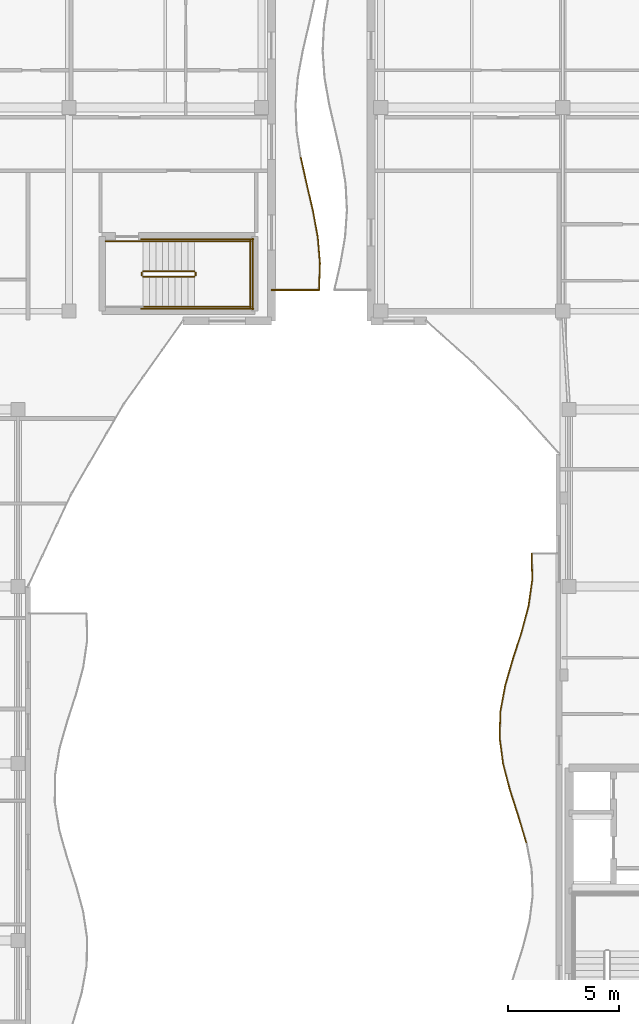
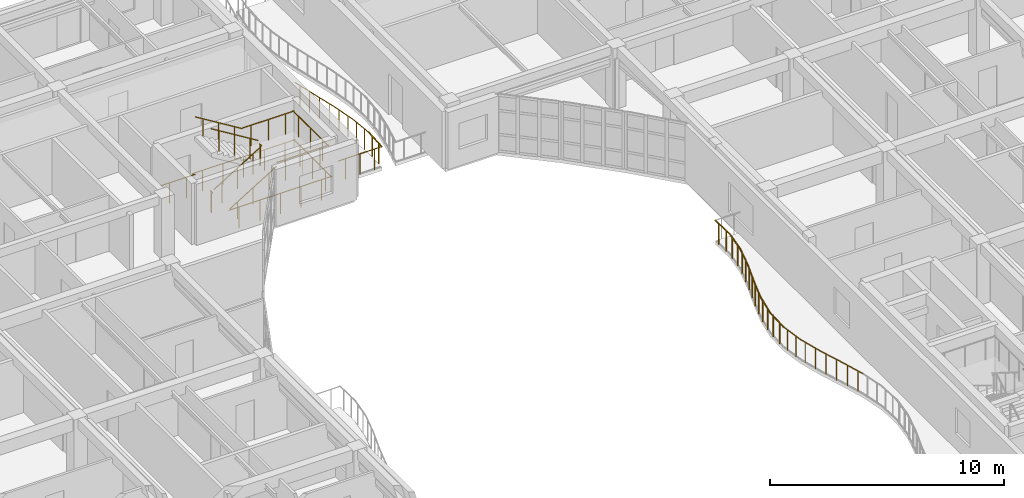
# One storey, part 113 of 128: 30 railings.
"""IFC4 building model written with IfcOpenShell, lengths in metres."""

from ifc_helpers import new_model, si_unit, direction, frame, origin, origin_2d, place, context, subcontext, project, spatial, circle, extrude, material, type_object, element, save


model = new_model("IFC4")

# Units and contexts
model_context = context("Model", 3, precision=1e-05, world=origin(), true_north=direction((0.0, 1.0)))
body_context = subcontext(model_context, "Body", "Model", "MODEL_VIEW")
ifc_project = project(units=[si_unit("LENGTHUNIT", "METRE"), si_unit("AREAUNIT", "SQUARE_METRE"), si_unit("VOLUMEUNIT", "CUBIC_METRE"), si_unit("PLANEANGLEUNIT", "RADIAN"), si_unit("MASSUNIT", "GRAM", prefix="KILO")], contexts=[model_context])

# Site, building, storey
site_placement = place(None, origin())
site = spatial("IfcSite", under=ifc_project, at=site_placement, CompositionType="ELEMENT")
building_placement = place(site_placement, origin())
building = spatial("IfcBuilding", under=site, at=building_placement, Name="Keldmere Railside Commons", CompositionType="ELEMENT")
storey_placement = place(building_placement, frame((0.0, 0.0, 4.159912109375)))
storey = spatial("IfcBuildingStorey", under=building, at=storey_placement, Name="L01", CompositionType="ELEMENT", Elevation=4.159912109375)

# Railings
ifc_material = material(Name="Steel F-24 (S235)", Category="steel")
railing_type_1 = type_object("IfcRailingType", Name="Balcony & Terrace Steel Balustrade 1100", PredefinedType="BALUSTRADE", material=ifc_material)
railing_1_placement = place(storey_placement, frame((35.0, 101.39990234375, 0.0)))
element("IfcRailing", 1, at=railing_1_placement, inside=storey, type_object=railing_type_1, Name="GR-1 GRD-L01-0105", PredefinedType="BALUSTRADE", context=body_context, shape_type="SweptSolid", body=[
    extrude(circle(Radius=0.02392578125, at=origin_2d()), frame((0.0, 0.0, 1.076171875), z_axis=(1.0, 0.0, 0.0), x_axis=(0.0, 1.0, 0.0)), (0.0, 0.0, 1.0), 2.152099609375),
    extrude(circle(Radius=0.02099609375, at=origin_2d()), frame((0.358642578125, 0.0, 0.0)), (0.0, 0.0, 1.0), 1.048095703125),
    extrude(circle(Radius=0.02099609375, at=origin_2d()), frame((1.076171875, 0.0, 0.0)), (0.0, 0.0, 1.0), 1.048095703125),
    extrude(circle(Radius=0.02099609375, at=origin_2d()), frame((1.79345703125, 0.0, 0.0)), (0.0, 0.0, 1.0), 1.048095703125),
])
railing_2_placement = place(storey_placement, frame((37.152099609375, 101.39990234375, 0.0)))
element("IfcRailing", 2, at=railing_2_placement, inside=storey, type_object=railing_type_1, Name="GR-1 GRD-L01-0106", PredefinedType="BALUSTRADE", context=body_context, shape_type="SweptSolid", body=[
    extrude(circle(Radius=0.02392578125, at=origin_2d()), frame((0.0, 0.0, 1.076171875), z_axis=(0.037402614126, 0.999300277422, 0.0), x_axis=(-0.999300277422, 0.037402614126, 0.0)), (0.0, 0.0, 1.0), 1.200927734375),
    extrude(circle(Radius=0.02099609375, at=origin_2d()), frame((0.01123046875, 0.300048828125, 0.0)), (0.0, 0.0, 1.0), 1.048095703125),
    extrude(circle(Radius=0.02099609375, at=origin_2d()), frame((0.03369140625, 0.900146484375, 0.0)), (0.0, 0.0, 1.0), 1.048095703125),
])
railing_3_placement = place(storey_placement, frame((37.197021484375, 102.60009765625, 0.0)))
element("IfcRailing", 3, at=railing_3_placement, inside=storey, type_object=railing_type_1, Name="GR-1 GRD-L01-0107", PredefinedType="BALUSTRADE", context=body_context, shape_type="SweptSolid", body=[
    extrude(circle(Radius=0.02392578125, at=origin_2d()), frame((0.0, 0.0, 1.076171875), z_axis=(-0.084136017472, 0.996454279214, 0.0), x_axis=(-0.996454279214, -0.084136017472, 0.0)), (0.0, 0.0, 1.0), 1.2041015625),
    extrude(circle(Radius=0.02099609375, at=origin_2d()), frame((-0.025390625, 0.300048828125, 0.0)), (0.0, 0.0, 1.0), 1.048095703125),
    extrude(circle(Radius=0.02099609375, at=origin_2d()), frame((-0.075927734375, 0.89990234375, 0.0)), (0.0, 0.0, 1.0), 1.048095703125),
])
railing_4_placement = place(storey_placement, frame((37.095703125, 103.800048828125, 0.0)))
element("IfcRailing", 4, at=railing_4_placement, inside=storey, type_object=railing_type_1, Name="GR-1 GRD-L01-0108", PredefinedType="BALUSTRADE", context=body_context, shape_type="SweptSolid", body=[
    extrude(circle(Radius=0.02392578125, at=origin_2d()), frame((0.0, 0.0, 1.076171875), z_axis=(-0.181086036306, 0.983467257948, 0.0), x_axis=(-0.983467257948, -0.181086036306, 0.0)), (0.0, 0.0, 1.0), 1.22021484375),
    extrude(circle(Radius=0.02099609375, at=origin_2d()), frame((-0.05517578125, 0.300048828125, 0.0)), (0.0, 0.0, 1.0), 1.048095703125),
    extrude(circle(Radius=0.02099609375, at=origin_2d()), frame((-0.165771484375, 0.89990234375, 0.0)), (0.0, 0.0, 1.0), 1.048095703125),
])
railing_5_placement = place(storey_placement, frame((36.874755859375, 105.0, 0.0)))
element("IfcRailing", 5, at=railing_5_placement, inside=storey, type_object=railing_type_1, Name="GR-1 GRD-L01-0109", PredefinedType="BALUSTRADE", context=body_context, shape_type="SweptSolid", body=[
    extrude(circle(Radius=0.02392578125, at=origin_2d()), frame((0.0, 0.0, 1.076171875), z_axis=(-0.22820012476, 0.973614247564, 0.0), x_axis=(-0.973614247564, -0.22820012476, 0.0)), (0.0, 0.0, 1.0), 1.232421875),
    extrude(circle(Radius=0.02099609375, at=origin_2d()), frame((-0.0703125, 0.300048828125, 0.0)), (0.0, 0.0, 1.0), 1.048095703125),
    extrude(circle(Radius=0.02099609375, at=origin_2d()), frame((-0.2109375, 0.89990234375, 0.0)), (0.0, 0.0, 1.0), 1.048095703125),
])
railing_6_placement = place(storey_placement, frame((36.593505859375, 106.199951171875, 0.0)))
element("IfcRailing", 6, at=railing_6_placement, inside=storey, type_object=railing_type_1, Name="GR-1 GRD-L01-0110", PredefinedType="BALUSTRADE", context=body_context, shape_type="SweptSolid", body=[
    extrude(circle(Radius=0.02392578125, at=origin_2d()), frame((0.0, 0.0, 1.076171875), z_axis=(-0.21632046957, 0.976322413163, 0.0), x_axis=(-0.976322413163, -0.21632046957, 0.0)), (0.0, 0.0, 1.0), 1.22900390625),
    extrude(circle(Radius=0.02099609375, at=origin_2d()), frame((-0.06640625, 0.300048828125, 0.0)), (0.0, 0.0, 1.0), 1.048095703125),
    extrude(circle(Radius=0.02099609375, at=origin_2d()), frame((-0.199462890625, 0.89990234375, 0.0)), (0.0, 0.0, 1.0), 1.048095703125),
])
railing_7_placement = place(storey_placement, frame((46.513671875, 76.422119140625, 0.0)))
element("IfcRailing", 7, at=railing_7_placement, inside=storey, type_object=railing_type_1, Name="GR-1 GRD-L01-0868", PredefinedType="BALUSTRADE", context=body_context, shape_type="SweptSolid", body=[
    extrude(circle(Radius=0.02392578125, at=origin_2d()), frame((0.0, 0.0, 1.076171875), z_axis=(-0.284818742003, 0.958581391538, 0.0), x_axis=(-0.958581391538, -0.284818742003, 0.0)), (0.0, 0.0, 1.0), 1.240234375),
    extrude(circle(Radius=0.02099609375, at=origin_2d()), frame((-0.08837890625, 0.29736328125, 0.0)), (0.0, 0.0, 1.0), 1.048095703125),
    extrude(circle(Radius=0.02099609375, at=origin_2d()), frame((-0.264892578125, 0.8916015625, 0.0)), (0.0, 0.0, 1.0), 1.048095703125),
])
railing_8_placement = place(storey_placement, frame((46.160400390625, 77.611083984375, 0.0)))
element("IfcRailing", 8, at=railing_8_placement, inside=storey, type_object=railing_type_1, Name="GR-1 GRD-L01-0869", PredefinedType="BALUSTRADE", context=body_context, shape_type="SweptSolid", body=[
    extrude(circle(Radius=0.02392578125, at=origin_2d()), frame((0.0, 0.0, 1.076171875), z_axis=(-0.306123076916, 0.951991944178, 0.0), x_axis=(-0.951991944178, -0.306123076916, 0.0)), (0.0, 0.0, 1.0), 1.2490234375),
    extrude(circle(Radius=0.02099609375, at=origin_2d()), frame((-0.095703125, 0.29736328125, 0.0)), (0.0, 0.0, 1.0), 1.048095703125),
    extrude(circle(Radius=0.02099609375, at=origin_2d()), frame((-0.28662109375, 0.8916015625, 0.0)), (0.0, 0.0, 1.0), 1.048095703125),
])
railing_9_placement = place(storey_placement, frame((45.778076171875, 78.800048828125, 0.0)))
element("IfcRailing", 9, at=railing_9_placement, inside=storey, type_object=railing_type_1, Name="GR-1 GRD-L01-0870", PredefinedType="BALUSTRADE", context=body_context, shape_type="SweptSolid", body=[
    extrude(circle(Radius=0.02392578125, at=origin_2d()), frame((0.0, 0.0, 1.076171875), z_axis=(-0.252899011183, 0.967492682217, 0.0), x_axis=(-0.967492682217, -0.252899011183, 0.0)), (0.0, 0.0, 1.0), 1.22900390625),
    extrude(circle(Radius=0.02099609375, at=origin_2d()), frame((-0.07763671875, 0.29736328125, 0.0)), (0.0, 0.0, 1.0), 1.048095703125),
    extrude(circle(Radius=0.02099609375, at=origin_2d()), frame((-0.233154296875, 0.8916015625, 0.0)), (0.0, 0.0, 1.0), 1.048095703125),
])
railing_10_placement = place(storey_placement, frame((45.46728515625, 79.989013671875, 0.0)))
element("IfcRailing", 10, at=railing_10_placement, inside=storey, type_object=railing_type_1, Name="GR-1 GRD-L01-0871", PredefinedType="BALUSTRADE", context=body_context, shape_type="SweptSolid", body=[
    extrude(circle(Radius=0.02392578125, at=origin_2d()), frame((0.0, 0.0, 1.076171875), z_axis=(-0.13132347974, 0.991339570313, 0.0), x_axis=(-0.991339570313, -0.13132347974, 0.0)), (0.0, 0.0, 1.0), 1.19921875),
    extrude(circle(Radius=0.02099609375, at=origin_2d()), frame((-0.039306640625, 0.297119140625, 0.0)), (0.0, 0.0, 1.0), 1.048095703125),
    extrude(circle(Radius=0.02099609375, at=origin_2d()), frame((-0.1181640625, 0.8916015625, 0.0)), (0.0, 0.0, 1.0), 1.048095703125),
])
railing_11_placement = place(storey_placement, frame((45.309814453125, 81.177734375, 0.0)))
element("IfcRailing", 11, at=railing_11_placement, inside=storey, type_object=railing_type_1, Name="GR-1 GRD-L01-0872", PredefinedType="BALUSTRADE", context=body_context, shape_type="SweptSolid", body=[
    extrude(circle(Radius=0.02392578125, at=origin_2d()), frame((0.0, 0.0, 1.076171875), z_axis=(0.031401344763, 0.999506856178, 0.0), x_axis=(-0.999506856178, 0.031401344763, 0.0)), (0.0, 0.0, 1.0), 1.189453125),
    extrude(circle(Radius=0.02099609375, at=origin_2d()), frame((0.00927734375, 0.29736328125, 0.0)), (0.0, 0.0, 1.0), 1.048095703125),
    extrude(circle(Radius=0.02099609375, at=origin_2d()), frame((0.028076171875, 0.8916015625, 0.0)), (0.0, 0.0, 1.0), 1.048095703125),
])
railing_12_placement = place(storey_placement, frame((45.34716796875, 82.36669921875, 0.0)))
element("IfcRailing", 12, at=railing_12_placement, inside=storey, type_object=railing_type_1, Name="GR-1 GRD-L01-0873", PredefinedType="BALUSTRADE", context=body_context, shape_type="SweptSolid", body=[
    extrude(circle(Radius=0.02392578125, at=origin_2d()), frame((0.0, 0.0, 1.076171875), z_axis=(0.183874180072, 0.982949788088, 0.0), x_axis=(-0.982949788088, 0.183874180072, 0.0)), (0.0, 0.0, 1.0), 1.20947265625),
    extrude(circle(Radius=0.02099609375, at=origin_2d()), frame((0.0556640625, 0.29736328125, 0.0)), (0.0, 0.0, 1.0), 1.048095703125),
    extrude(circle(Radius=0.02099609375, at=origin_2d()), frame((0.166748046875, 0.8916015625, 0.0)), (0.0, 0.0, 1.0), 1.048095703125),
])
railing_13_placement = place(storey_placement, frame((45.569580078125, 83.5556640625, 0.0)))
element("IfcRailing", 13, at=railing_13_placement, inside=storey, type_object=railing_type_1, Name="GR-1 GRD-L01-0874", PredefinedType="BALUSTRADE", context=body_context, shape_type="SweptSolid", body=[
    extrude(circle(Radius=0.02392578125, at=origin_2d()), frame((0.0, 0.0, 1.076171875), z_axis=(0.281430015887, 0.959581755849, 0.0), x_axis=(-0.959581755849, 0.281430015887, 0.0)), (0.0, 0.0, 1.0), 1.23876953125),
    extrude(circle(Radius=0.02099609375, at=origin_2d()), frame((0.087158203125, 0.297119140625, 0.0)), (0.0, 0.0, 1.0), 1.048095703125),
    extrude(circle(Radius=0.02099609375, at=origin_2d()), frame((0.261474609375, 0.8916015625, 0.0)), (0.0, 0.0, 1.0), 1.048095703125),
])
railing_14_placement = place(storey_placement, frame((45.918212890625, 84.744384765625, 0.0)))
element("IfcRailing", 14, at=railing_14_placement, inside=storey, type_object=railing_type_1, Name="GR-1 GRD-L01-0875", PredefinedType="BALUSTRADE", context=body_context, shape_type="SweptSolid", body=[
    extrude(circle(Radius=0.02392578125, at=origin_2d()), frame((0.0, 0.0, 1.076171875), z_axis=(0.306831470827, 0.951763861738, 0.0), x_axis=(-0.951763861738, 0.306831470827, 0.0)), (0.0, 0.0, 1.0), 1.249267578125),
    extrude(circle(Radius=0.02099609375, at=origin_2d()), frame((0.095703125, 0.29736328125, 0.0)), (0.0, 0.0, 1.0), 1.048095703125),
    extrude(circle(Radius=0.02099609375, at=origin_2d()), frame((0.28759765625, 0.8916015625, 0.0)), (0.0, 0.0, 1.0), 1.048095703125),
])
railing_15_placement = place(storey_placement, frame((46.301513671875, 85.933349609375, 0.0)))
element("IfcRailing", 15, at=railing_15_placement, inside=storey, type_object=railing_type_1, Name="GR-1 GRD-L01-0876", PredefinedType="BALUSTRADE", context=body_context, shape_type="SweptSolid", body=[
    extrude(circle(Radius=0.02392578125, at=origin_2d()), frame((0.0, 0.0, 1.076171875), z_axis=(0.257909603143, 0.966169051774, 0.0), x_axis=(-0.966169051774, 0.257909603143, 0.0)), (0.0, 0.0, 1.0), 1.230712890625),
    extrude(circle(Radius=0.02099609375, at=origin_2d()), frame((0.079345703125, 0.29736328125, 0.0)), (0.0, 0.0, 1.0), 1.048095703125),
    extrude(circle(Radius=0.02099609375, at=origin_2d()), frame((0.238037109375, 0.8916015625, 0.0)), (0.0, 0.0, 1.0), 1.048095703125),
])
railing_16_placement = place(storey_placement, frame((46.618896484375, 87.122314453125, 0.0)))
element("IfcRailing", 16, at=railing_16_placement, inside=storey, type_object=railing_type_1, Name="GR-1 GRD-L01-0877", PredefinedType="BALUSTRADE", context=body_context, shape_type="SweptSolid", body=[
    extrude(circle(Radius=0.02392578125, at=origin_2d()), frame((0.0, 0.0, 1.076171875), z_axis=(0.139513460632, 0.990220174659, 0.0), x_axis=(-0.990220174659, 0.139513460632, 0.0)), (0.0, 0.0, 1.0), 1.200439453125),
    extrude(circle(Radius=0.02099609375, at=origin_2d()), frame((0.0419921875, 0.297119140625, 0.0)), (0.0, 0.0, 1.0), 1.048095703125),
    extrude(circle(Radius=0.02099609375, at=origin_2d()), frame((0.12548828125, 0.8916015625, 0.0)), (0.0, 0.0, 1.0), 1.048095703125),
])
railing_17_placement = place(storey_placement, frame((46.786376953125, 88.31103515625, 0.0)))
element("IfcRailing", 17, at=railing_17_placement, inside=storey, type_object=railing_type_1, Name="GR-1 GRD-L01-0878", PredefinedType="BALUSTRADE", context=body_context, shape_type="SweptSolid", body=[
    extrude(circle(Radius=0.02392578125, at=origin_2d()), frame((0.0, 0.0, 1.076171875), z_axis=(-0.022171140149, 0.999754190061, 0.0), x_axis=(-0.999754190061, -0.022171140149, 0.0)), (0.0, 0.0, 1.0), 1.189208984375),
    extrude(circle(Radius=0.02099609375, at=origin_2d()), frame((-0.006591796875, 0.29736328125, 0.0)), (0.0, 0.0, 1.0), 1.048095703125),
    extrude(circle(Radius=0.02099609375, at=origin_2d()), frame((-0.019775390625, 0.8916015625, 0.0)), (0.0, 0.0, 1.0), 1.048095703125),
])
railing_type_2 = type_object("IfcRailingType", Name="Stair Well Steel Guardrail 1100", PredefinedType="BALUSTRADE", material=ifc_material)
railing_18_placement = place(storey_placement, frame((29.199951171875, 102.0, 0.177978515625)))
element("IfcRailing", 18, at=railing_18_placement, inside=storey, type_object=railing_type_2, Name="L01 ST-D2 stair guard 1", PredefinedType="BALUSTRADE", context=body_context, shape_type="SweptSolid", body=[
    extrude(circle(Radius=0.02392578125, at=origin_2d()), frame((0.0, 0.0, 1.076171875), z_axis=(0.852578041948, 0.0, 0.522599925744), x_axis=(0.0, 1.0, 0.0)), (0.0, 0.0, 1.0), 2.72119140625),
    extrude(circle(Radius=0.02099609375, at=origin_2d()), frame((0.38671875, 0.0, 0.237060546875)), (0.0, 0.0, 1.0), 1.048095703125),
    extrude(circle(Radius=0.02099609375, at=origin_2d()), frame((1.16015625, 0.0, 0.7109375)), (0.0, 0.0, 1.0), 1.048095703125),
    extrude(circle(Radius=0.02099609375, at=origin_2d()), frame((1.933349609375, 0.0, 1.18505859375)), (0.0, 0.0, 1.0), 1.048095703125),
])
railing_19_placement = place(storey_placement, frame((31.570068359375, 102.050048828125, 1.60009765625)))
element("IfcRailing", 19, at=railing_19_placement, inside=storey, type_object=railing_type_2, Name="L01 ST-D2 stair guard 2", PredefinedType="BALUSTRADE", context=body_context, shape_type="SweptSolid", body=[
    extrude(circle(Radius=0.02392578125, at=origin_2d()), frame((0.0, 0.0, 1.076171875), z_axis=(0.0, 1.0, 0.0), x_axis=(-1.0, 0.0, 0.0)), (0.0, 0.0, 1.0), 0.14990234375),
    extrude(circle(Radius=0.02099609375, at=origin_2d()), frame((0.0, 0.074951171875, 0.0)), (0.0, 0.0, 1.0), 1.048095703125),
])
for number, where, name in (
    (20, (31.52001953125, 100.64990234375, 1.60009765625), "L01 ST-D2 stair guard 3"),
    (21, (31.52001953125, 103.60009765625, 1.60009765625), "L01 ST-D2 stair guard 4"),
):
    element("IfcRailing", number, at=place(storey_placement, frame(where)), inside=storey, type_object=railing_type_2, Name=name, PredefinedType="BALUSTRADE", context=body_context, shape_type="SweptSolid", body=[
        extrude(circle(Radius=0.02392578125, at=origin_2d()), frame((0.0, 0.0, 1.076171875), z_axis=(1.0, 0.0, 0.0), x_axis=(0.0, 1.0, 0.0)), (0.0, 0.0, 1.0), 2.580078125),
        extrude(circle(Radius=0.02099609375, at=origin_2d()), frame((0.429931640625, 0.0, 0.0)), (0.0, 0.0, 1.0), 1.048095703125),
        extrude(circle(Radius=0.02099609375, at=origin_2d()), frame((1.2900390625, 0.0, 0.0)), (0.0, 0.0, 1.0), 1.048095703125),
        extrude(circle(Radius=0.02099609375, at=origin_2d()), frame((2.150146484375, 0.0, 0.0)), (0.0, 0.0, 1.0), 1.048095703125),
    ])
railing_20_placement = place(storey_placement, frame((34.050048828125, 100.60009765625, 1.60009765625)))
element("IfcRailing", 22, at=railing_20_placement, inside=storey, type_object=railing_type_2, Name="L01 ST-D2 stair guard 5", PredefinedType="BALUSTRADE", context=body_context, shape_type="SweptSolid", body=[
    extrude(circle(Radius=0.02392578125, at=origin_2d()), frame((0.0, 0.0, 1.076171875), z_axis=(0.0, 1.0, 0.0), x_axis=(-1.0, 0.0, 0.0)), (0.0, 0.0, 1.0), 3.0498046875),
    extrude(circle(Radius=0.02099609375, at=origin_2d()), frame((0.0, 0.50830078125, 0.0)), (0.0, 0.0, 1.0), 1.048095703125),
    extrude(circle(Radius=0.02099609375, at=origin_2d()), frame((0.0, 1.52490234375, 0.0)), (0.0, 0.0, 1.0), 1.048095703125),
    extrude(circle(Radius=0.02099609375, at=origin_2d()), frame((0.0, 2.54150390625, 0.0)), (0.0, 0.0, 1.0), 1.048095703125),
])
railing_21_placement = place(storey_placement, frame((31.52001953125, 102.25, 1.77783203125)))
element("IfcRailing", 23, at=railing_21_placement, inside=storey, type_object=railing_type_2, Name="L01 ST-D2 stair guard 6", PredefinedType="BALUSTRADE", context=body_context, shape_type="SweptSolid", body=[
    extrude(circle(Radius=0.02392578125, at=origin_2d()), frame((0.0, 0.0, 1.076171875), z_axis=(-0.852538067394, 0.0, 0.522665135287), x_axis=(0.0, -1.0, 0.0)), (0.0, 0.0, 1.0), 2.721435546875),
    extrude(circle(Radius=0.02099609375, at=origin_2d()), frame((-0.38671875, 0.0, 0.237060546875)), (0.0, 0.0, 1.0), 1.048095703125),
    extrude(circle(Radius=0.02099609375, at=origin_2d()), frame((-1.16015625, 0.0, 0.711181640625)), (0.0, 0.0, 1.0), 1.048095703125),
    extrude(circle(Radius=0.02099609375, at=origin_2d()), frame((-1.933349609375, 0.0, 1.185302734375)), (0.0, 0.0, 1.0), 1.048095703125),
])
railing_22_placement = place(storey_placement, frame((29.14990234375, 102.050048828125, 0.0)))
element("IfcRailing", 24, at=railing_22_placement, inside=storey, type_object=railing_type_2, Name="L01 ST-D2 stair guard 7", PredefinedType="BALUSTRADE", context=body_context, shape_type="SweptSolid", body=[
    extrude(circle(Radius=0.02392578125, at=origin_2d()), frame((0.0, 0.0, 1.076171875), z_axis=(0.0, 1.0, 0.0), x_axis=(-1.0, 0.0, 0.0)), (0.0, 0.0, 1.0), 0.14990234375),
    extrude(circle(Radius=0.02099609375, at=origin_2d()), frame((0.0, 0.074951171875, 0.0)), (0.0, 0.0, 1.0), 1.048095703125),
])
railing_23_placement = place(storey_placement, frame((27.5, 103.60009765625, 0.0)))
element("IfcRailing", 25, at=railing_23_placement, inside=storey, type_object=railing_type_2, Name="L01 ST-D2 stair guard 9", PredefinedType="BALUSTRADE", context=body_context, shape_type="SweptSolid", body=[
    extrude(circle(Radius=0.02392578125, at=origin_2d()), frame((0.0, 0.0, 1.076171875), z_axis=(1.0, 0.0, 0.0), x_axis=(0.0, 1.0, 0.0)), (0.0, 0.0, 1.0), 1.699951171875),
    extrude(circle(Radius=0.02099609375, at=origin_2d()), frame((0.425048828125, 0.0, 0.0)), (0.0, 0.0, 1.0), 1.048095703125),
    extrude(circle(Radius=0.02099609375, at=origin_2d()), frame((1.27490234375, 0.0, 0.0)), (0.0, 0.0, 1.0), 1.048095703125),
])
for number, where, name in (
    (26, (29.10009765625, 100.550048828125, 0.0), "L01 ST-D2 stair guard 10"),
    (27, (29.10009765625, 103.699951171875, 0.0), "L01 ST-D2 stair guard 11"),
):
    element("IfcRailing", number, at=place(storey_placement, frame(where)), inside=storey, type_object=railing_type_2, Name=name, PredefinedType="BALUSTRADE", context=body_context, shape_type="SweptSolid", body=[
        extrude(circle(Radius=0.02392578125, at=origin_2d()), frame((0.0, 0.0, 1.076171875), z_axis=(1.0, 0.0, 0.0), x_axis=(0.0, 1.0, 0.0)), (0.0, 0.0, 1.0), 5.099853515625),
        extrude(circle(Radius=0.02099609375, at=origin_2d()), frame((0.510009765625, 0.0, 0.0)), (0.0, 0.0, 1.0), 1.048095703125),
        extrude(circle(Radius=0.02099609375, at=origin_2d()), frame((1.530029296875, 0.0, 0.0)), (0.0, 0.0, 1.0), 1.048095703125),
        extrude(circle(Radius=0.02099609375, at=origin_2d()), frame((2.5498046875, 0.0, 0.0)), (0.0, 0.0, 1.0), 1.048095703125),
        extrude(circle(Radius=0.02099609375, at=origin_2d()), frame((3.56982421875, 0.0, 0.0)), (0.0, 0.0, 1.0), 1.048095703125),
        extrude(circle(Radius=0.02099609375, at=origin_2d()), frame((4.58984375, 0.0, 0.0)), (0.0, 0.0, 1.0), 1.048095703125),
    ])
railing_24_placement = place(storey_placement, frame((34.14990234375, 100.5, 0.0)))
element("IfcRailing", 28, at=railing_24_placement, inside=storey, type_object=railing_type_2, Name="L01 ST-D2 stair guard 12", PredefinedType="BALUSTRADE", context=body_context, shape_type="SweptSolid", body=[
    extrude(circle(Radius=0.02392578125, at=origin_2d()), frame((0.0, 0.0, 1.076171875), z_axis=(0.0, 1.0, 0.0), x_axis=(-1.0, 0.0, 0.0)), (0.0, 0.0, 1.0), 3.25),
    extrude(circle(Radius=0.02099609375, at=origin_2d()), frame((0.0, 0.541748046875, 0.0)), (0.0, 0.0, 1.0), 1.048095703125),
    extrude(circle(Radius=0.02099609375, at=origin_2d()), frame((0.0, 1.625, 0.0)), (0.0, 0.0, 1.0), 1.048095703125),
    extrude(circle(Radius=0.02099609375, at=origin_2d()), frame((0.0, 2.708251953125, 0.0)), (0.0, 0.0, 1.0), 1.048095703125),
])
railing_type_3 = type_object("IfcRailingType", Name="Wall-Mounted Tubular Steel Handrail 900", PredefinedType="HANDRAIL", material=ifc_material)
railing_25_placement = place(storey_placement, frame((29.199951171875, 100.64990234375, 0.177978515625)))
element("IfcRailing", 29, at=railing_25_placement, inside=storey, type_object=railing_type_3, Name="L01 ST-D2 stair handrail 1", PredefinedType="HANDRAIL", context=body_context, shape_type="SweptSolid", body=[
    extrude(circle(Radius=0.02392578125, at=origin_2d()), frame((0.0, 0.0, 0.8759765625), z_axis=(0.852578041948, 0.0, 0.522599925744), x_axis=(0.0, 1.0, 0.0)), (0.0, 0.0, 1.0), 2.72119140625),
    extrude(circle(Radius=0.02099609375, at=origin_2d()), frame((0.38671875, 0.0, 0.237060546875)), (0.0, 0.0, 1.0), 0.847900390625),
    extrude(circle(Radius=0.02099609375, at=origin_2d()), frame((1.16015625, 0.0, 0.7109375)), (0.0, 0.0, 1.0), 0.847900390625),
    extrude(circle(Radius=0.02099609375, at=origin_2d()), frame((1.933349609375, 0.0, 1.18505859375)), (0.0, 0.0, 1.0), 0.847900390625),
])
railing_26_placement = place(storey_placement, frame((31.52001953125, 103.60009765625, 1.77783203125)))
element("IfcRailing", 30, at=railing_26_placement, inside=storey, type_object=railing_type_3, Name="L01 ST-D2 stair handrail 2", PredefinedType="HANDRAIL", context=body_context, shape_type="SweptSolid", body=[
    extrude(circle(Radius=0.02392578125, at=origin_2d()), frame((0.0, 0.0, 0.8759765625), z_axis=(-0.852538067394, 0.0, 0.522665135287), x_axis=(0.0, -1.0, 0.0)), (0.0, 0.0, 1.0), 2.721435546875),
    extrude(circle(Radius=0.02099609375, at=origin_2d()), frame((-0.38671875, 0.0, 0.237060546875)), (0.0, 0.0, 1.0), 0.847900390625),
    extrude(circle(Radius=0.02099609375, at=origin_2d()), frame((-1.16015625, 0.0, 0.711181640625)), (0.0, 0.0, 1.0), 0.847900390625),
    extrude(circle(Radius=0.02099609375, at=origin_2d()), frame((-1.933349609375, 0.0, 1.185302734375)), (0.0, 0.0, 1.0), 0.847900390625),
])

save(model, "model.ifc")
